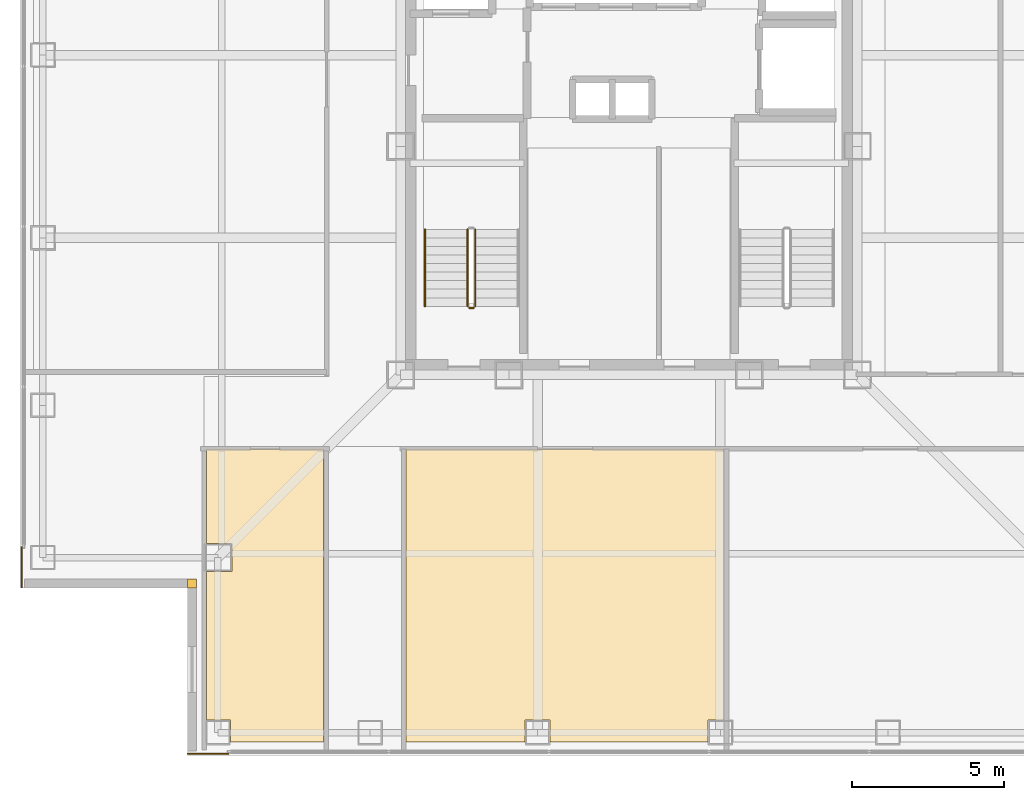
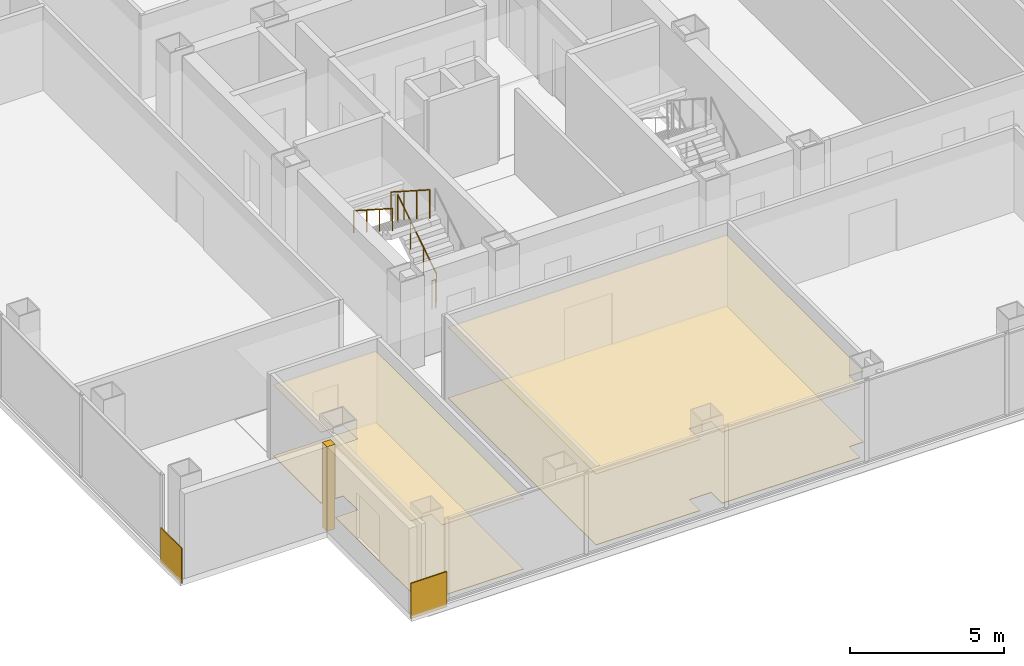
# One storey, part 13 of 18: 7 coverings, 4 railings.
"""IFC4 building model written with IfcOpenShell, lengths in metres."""

from ifc_helpers import new_model, si_unit, direction, frame, frame_2d, origin, origin_2d, place, context, subcontext, project, spatial, polyline, rectangle, circle, outline, extrude, material, layer, layer_set, type_object, element, save


model = new_model("IFC4")

# Units and contexts
model_context = context("Model", 3, precision=1e-05, world=origin(), true_north=direction((0.0, 1.0)))
body_context = subcontext(model_context, "Body", "Model", "MODEL_VIEW")
ifc_project = project(units=[si_unit("LENGTHUNIT", "METRE"), si_unit("AREAUNIT", "SQUARE_METRE"), si_unit("VOLUMEUNIT", "CUBIC_METRE"), si_unit("PLANEANGLEUNIT", "RADIAN"), si_unit("MASSUNIT", "GRAM", prefix="KILO")], contexts=[model_context])

# Site, building, storey
site_placement = place(None, origin())
site = spatial("IfcSite", under=ifc_project, at=site_placement, CompositionType="ELEMENT")
building_placement = place(site_placement, origin())
building = spatial("IfcBuilding", under=site, at=building_placement, Name="Trevonay Congress Spire", CompositionType="ELEMENT")
storey_placement = place(building_placement, frame((0.0, 0.0, 198.60009765625)))
storey = spatial("IfcBuildingStorey", under=building, at=storey_placement, Name="L51", CompositionType="ELEMENT", Elevation=198.60009765625)

# Coverings
ifc_material_1 = material(Name="Acoustic Mineral Fibre Board", Category="gypsum")
ifc_layer_1 = layer(ifc_material_1, 0.02490234375, Name="Acoustic Mineral Fibre Board")
ifc_layer_set_1 = layer_set([ifc_layer_1], Name="Acoustic Mineral Fibre Board")
covering_type_1 = type_object("IfcCoveringType", Name="COV-CEIL-ACOUSTIC", PredefinedType="CEILING", material=ifc_layer_set_1)
covering_1_placement = place(storey_placement, frame((0.0, 0.0, 2.809814453125)))
element("IfcCovering", 1, at=covering_1_placement, inside=storey, type_object=covering_type_1, Name="L51 Sommelier Wine Tasting Cellar acoustic suspended ceiling", PredefinedType="CEILING", context=body_context, shape_type="SweptSolid", body=[
    extrude(outline(polyline([(-13.8701171875, -9.929931640625), (-10.030029296875, -9.929931640625), (-10.030029296875, -19.550048828125), (-13.090087890625, -19.550048828125), (-13.090087890625, -18.840087890625), (-13.8701171875, -18.840087890625), (-13.8701171875, -13.9599609375), (-13.0400390625, -13.9599609375), (-13.0400390625, -13.0400390625), (-13.8701171875, -13.0400390625), (-13.8701171875, -9.929931640625)])), origin(), (0.0, 0.0, 1.0), 0.025146484375),
])
covering_2_placement = place(storey_placement, frame((0.0, 0.0, 2.809814453125)))
element("IfcCovering", 2, at=covering_2_placement, inside=storey, type_object=covering_type_1, Name="L51 Corporate Main Production Kitchen acoustic suspended ceiling", PredefinedType="CEILING", context=body_context, shape_type="SweptSolid", body=[
    extrude(outline(polyline([(-7.320068359375, -19.550048828125), (-7.320068359375, -9.929931640625), (3.1201171875, -9.929931640625), (3.1201171875, -18.840087890625), (2.590087890625, -18.840087890625), (2.590087890625, -19.550048828125), (-2.590087890625, -19.550048828125), (-2.590087890625, -18.840087890625), (-3.409912109375, -18.840087890625), (-3.409912109375, -19.550048828125), (-7.320068359375, -19.550048828125)])), origin(), (0.0, 0.0, 1.0), 0.025146484375),
])
ifc_material_2 = material(Name="Polished Granite Floor Tile", Category="masonry")
ifc_layer_2 = layer(ifc_material_2, 0.02001953125, Name="Polished Granite Floor Tile")
ifc_layer_set_2 = layer_set([ifc_layer_2], Name="Polished Granite Floor Tile")
covering_type_2 = type_object("IfcCoveringType", Name="COV-FLOOR-STONE", PredefinedType="FLOORING", material=ifc_layer_set_2)
covering_3_placement = place(storey_placement, origin())
element("IfcCovering", 3, at=covering_3_placement, inside=storey, type_object=covering_type_2, Name="L51 Sommelier Wine Tasting Cellar floor finish", PredefinedType="FLOORING", context=body_context, shape_type="SweptSolid", body=[
    extrude(outline(polyline([(-13.8701171875, -9.929931640625), (-10.030029296875, -9.929931640625), (-10.030029296875, -19.550048828125), (-13.090087890625, -19.550048828125), (-13.090087890625, -18.840087890625), (-13.8701171875, -18.840087890625), (-13.8701171875, -13.9599609375), (-13.0400390625, -13.9599609375), (-13.0400390625, -13.0400390625), (-13.8701171875, -13.0400390625), (-13.8701171875, -9.929931640625)])), origin(), (0.0, 0.0, 1.0), 0.02001953125),
])
covering_4_placement = place(storey_placement, origin())
element("IfcCovering", 4, at=covering_4_placement, inside=storey, type_object=covering_type_2, Name="L51 Corporate Main Production Kitchen floor finish", PredefinedType="FLOORING", context=body_context, shape_type="SweptSolid", body=[
    extrude(outline(polyline([(-7.320068359375, -19.550048828125), (-7.320068359375, -9.929931640625), (3.1201171875, -9.929931640625), (3.1201171875, -18.840087890625), (2.590087890625, -18.840087890625), (2.590087890625, -19.550048828125), (-2.590087890625, -19.550048828125), (-2.590087890625, -18.840087890625), (-3.409912109375, -18.840087890625), (-3.409912109375, -19.550048828125), (-7.320068359375, -19.550048828125)])), origin(), (0.0, 0.0, 1.0), 0.02001953125),
])
ifc_material_3 = material(Name="Pale Anodised Aluminium EN AW-6063-T6", Category="aluminium")
ifc_layer_3 = layer(ifc_material_3, 0.0400390625, Name="Pale Anodised Aluminium EN AW-6063-T6")
ifc_layer_set_3 = layer_set([ifc_layer_3], Name="Pale Anodised Aluminium EN AW-6063-T6")
covering_type_3 = type_object("IfcCoveringType", Name="COV-SPANDREL-PALE-METAL", PredefinedType="CLADDING", material=ifc_layer_set_3)
covering_5_placement = place(storey_placement, origin())
element("IfcCovering", 5, at=covering_5_placement, inside=storey, type_object=covering_type_3, Name="L51 SW re-entrant notch corner closure trim", PredefinedType="CLADDING", context=body_context, shape_type="SweptSolid", body=[
    extrude(outline(polyline([(-14.5, -14.5), (-14.199951171875, -14.5), (-14.199951171875, -14.199951171875), (-14.5, -14.199951171875), (-14.5, -14.5)])), origin(), (0.0, 0.0, 1.0), 3.35986328125),
])
for number, where, z_axis, x_axis, name in (
    (6, (-19.93994140625, -13.14990234375, -0.150146484375), (0.0, 0.0, 1.0), (0.0, -1.0, 0.0), "L51 SW corner pier spandrel cladding 1"),
    (7, (-13.14990234375, -19.93994140625, -0.150146484375), (0.0, 0.0, 1.0), (-1.0, 0.0, 0.0), "L51 SW corner pier spandrel cladding 2"),
):
    element("IfcCovering", number, at=place(storey_placement, frame(where, z_axis=z_axis, x_axis=x_axis)), inside=storey, type_object=covering_type_3, Name=name, PredefinedType="CLADDING", context=body_context, shape_type="SweptSolid", body=[
        extrude(rectangle(XDim=1.35009765625, YDim=0.0400390625, at=frame_2d((0.675048828125, 0.0))), origin(), (0.0, 0.0, 1.0), 1.400146484375),
    ])

# Railings
railing_type_1 = type_object("IfcRailingType", Name="RAL-STAIR-GUARD-110", PredefinedType="GUARDRAIL", material=ifc_material_3)
railing_1_placement = place(storey_placement, frame((-5.050048828125, -5.25, 0.179931640625)))
element("IfcRailing", 8, at=railing_1_placement, inside=storey, type_object=railing_type_1, Name="L51 ST-1 stair guard 1", PredefinedType="GUARDRAIL", context=body_context, shape_type="SweptSolid", body=[
    extrude(circle(Radius=0.02392578125, at=origin_2d()), frame((0.0, 0.0, 1.1259765625), z_axis=(0.0, 0.841199657755, 0.540724639528), x_axis=(-1.0, 0.0, 0.0)), (0.0, 0.0, 1.0), 2.995849609375),
    extrude(circle(Radius=0.02099609375, at=origin_2d()), origin(), (0.0, 0.0, 1.0), 1.101806640625),
    extrude(circle(Radius=0.02099609375, at=origin_2d()), frame((0.0, 0.840087890625, 0.5400390625)), (0.0, 0.0, 1.0), 1.101806640625),
    extrude(circle(Radius=0.02099609375, at=origin_2d()), frame((0.0, 1.679931640625, 1.079833984375)), (0.0, 0.0, 1.0), 1.101806640625),
    extrude(circle(Radius=0.02099609375, at=origin_2d()), frame((0.0, 2.52001953125, 1.619873046875)), (0.0, 0.0, 1.0), 1.101806640625),
])
railing_2_placement = place(storey_placement, frame((-5.300048828125, -2.72998046875, 1.97998046875)))
element("IfcRailing", 9, at=railing_2_placement, inside=storey, type_object=railing_type_1, Name="L51 ST-1 stair guard 3", PredefinedType="GUARDRAIL", context=body_context, shape_type="SweptSolid", body=[
    extrude(circle(Radius=0.02392578125, at=origin_2d()), frame((0.0, 0.0, 1.1259765625), z_axis=(0.0, -0.841199657755, 0.540724639528), x_axis=(1.0, 0.0, 0.0)), (0.0, 0.0, 1.0), 2.995849609375),
    extrude(circle(Radius=0.02099609375, at=origin_2d()), origin(), (0.0, 0.0, 1.0), 1.101806640625),
    extrude(circle(Radius=0.02099609375, at=origin_2d()), frame((0.0, -0.840087890625, 0.5400390625)), (0.0, 0.0, 1.0), 1.101806640625),
    extrude(circle(Radius=0.02099609375, at=origin_2d()), frame((0.0, -1.679931640625, 1.079833984375)), (0.0, 0.0, 1.0), 1.101806640625),
    extrude(circle(Radius=0.02099609375, at=origin_2d()), frame((0.0, -2.52001953125, 1.619873046875)), (0.0, 0.0, 1.0), 1.101806640625),
])
railing_3_placement = place(storey_placement, frame((-5.10009765625, -5.300048828125, 0.0)))
element("IfcRailing", 10, at=railing_3_placement, inside=storey, type_object=railing_type_1, Name="L51 ST-1 stair guard 4", PredefinedType="GUARDRAIL", context=body_context, shape_type="SweptSolid", body=[
    extrude(circle(Radius=0.02392578125, at=origin_2d()), frame((0.0, 0.0, 1.1259765625), z_axis=(-1.0, 0.0, 0.0), x_axis=(0.0, -1.0, 0.0)), (0.0, 0.0, 1.0), 0.14990234375),
    extrude(circle(Radius=0.02099609375, at=origin_2d()), origin(), (0.0, 0.0, 1.0), 1.101806640625),
    extrude(circle(Radius=0.02099609375, at=origin_2d()), frame((-0.14990234375, 0.0, 0.0)), (0.0, 0.0, 1.0), 1.101806640625),
])
railing_type_2 = type_object("IfcRailingType", Name="RAL-STAIR-HANDRAIL", PredefinedType="HANDRAIL", material=ifc_material_3)
railing_4_placement = place(storey_placement, frame((-6.699951171875, -2.72998046875, 1.97998046875)))
element("IfcRailing", 11, at=railing_4_placement, inside=storey, type_object=railing_type_2, Name="L51 ST-1 stair handrail 2", PredefinedType="HANDRAIL", context=body_context, shape_type="SweptSolid", body=[
    extrude(circle(Radius=0.02392578125, at=origin_2d()), frame((0.0, 0.0, 0.8759765625), z_axis=(0.0, -0.841199657755, 0.540724639528), x_axis=(1.0, 0.0, 0.0)), (0.0, 0.0, 1.0), 2.995849609375),
    extrude(circle(Radius=0.02099609375, at=origin_2d()), origin(), (0.0, 0.0, 1.0), 0.851806640625),
    extrude(circle(Radius=0.02099609375, at=origin_2d()), frame((0.0, -0.840087890625, 0.5400390625)), (0.0, 0.0, 1.0), 0.851806640625),
    extrude(circle(Radius=0.02099609375, at=origin_2d()), frame((0.0, -1.679931640625, 1.079833984375)), (0.0, 0.0, 1.0), 0.851806640625),
    extrude(circle(Radius=0.02099609375, at=origin_2d()), frame((0.0, -2.52001953125, 1.619873046875)), (0.0, 0.0, 1.0), 0.851806640625),
])

save(model, "model.ifc")
